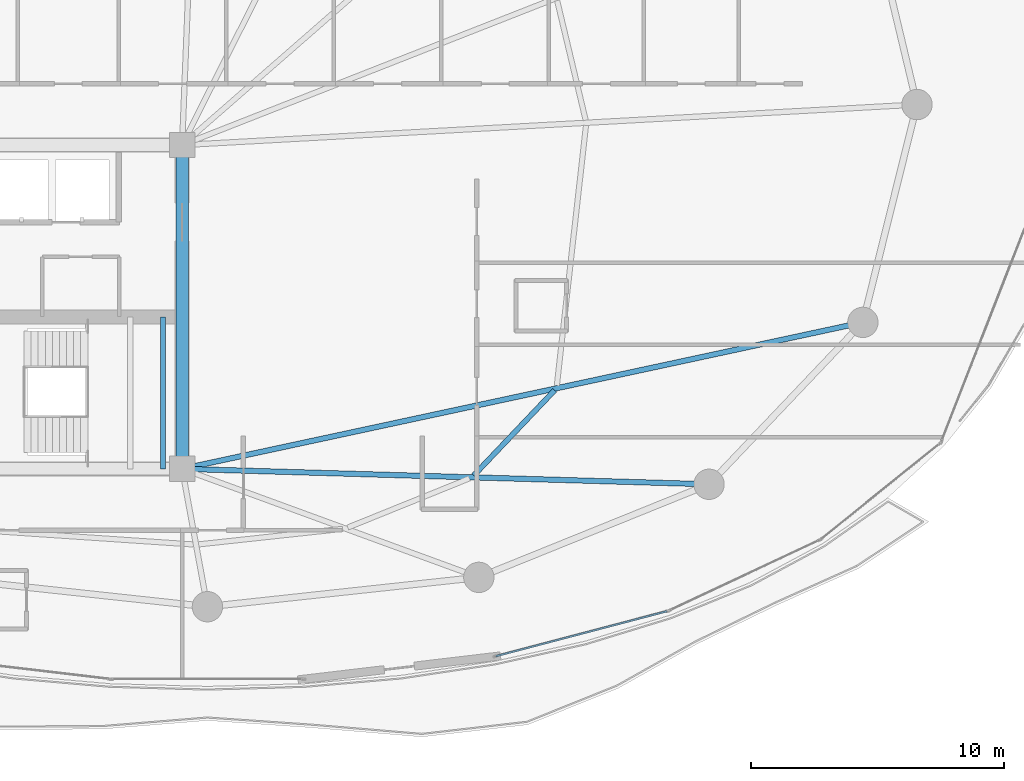
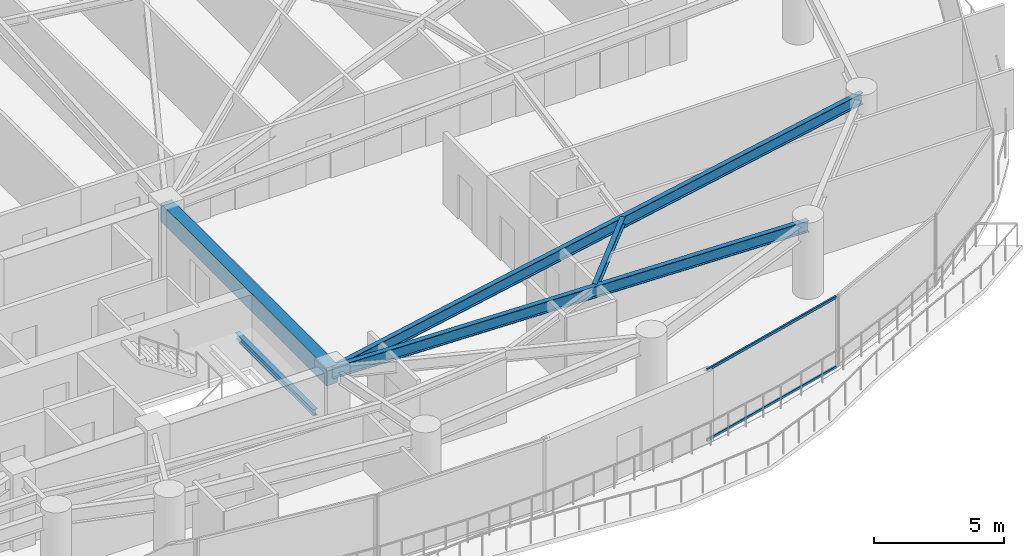
# One storey, part 13 of 34: 5 beams, 2 members, 1 element without a shape of its own.
"""IFC4 building model written with IfcOpenShell, lengths in metres."""

from ifc_helpers import new_model, si_unit, direction, frame, origin, origin_2d, place, context, subcontext, project, spatial, rectangle, hollow_rectangle, i_section, extrude, material, layer, layer_set, material_profile, profile_set, type_object, element, aggregate, save


model = new_model("IFC4")

# Units and contexts
model_context = context("Model", 3, precision=1e-05, world=origin(), true_north=direction((0.0, 1.0)))
body_context = subcontext(model_context, "Body", "Model", "MODEL_VIEW")
ifc_project = project(units=[si_unit("LENGTHUNIT", "METRE"), si_unit("AREAUNIT", "SQUARE_METRE"), si_unit("VOLUMEUNIT", "CUBIC_METRE"), si_unit("PLANEANGLEUNIT", "RADIAN"), si_unit("MASSUNIT", "GRAM", prefix="KILO")], contexts=[model_context])

# Site, building, storey
site_placement = place(None, origin())
site = spatial("IfcSite", under=ifc_project, at=site_placement, CompositionType="ELEMENT")
building_placement = place(site_placement, origin())
building = spatial("IfcBuilding", under=site, at=building_placement, Name="Kazevale Care Tower and Concert Hall", CompositionType="ELEMENT")
storey_placement = place(building_placement, frame((0.0, 0.0, 167.39990234375)))
storey = spatial("IfcBuildingStorey", under=building, at=storey_placement, Name="L44", CompositionType="ELEMENT", Elevation=167.39990234375)

# Curtain wall, members
ifc_material_1 = material(Name="Aluminium 6063-T6 and Low-E Glass", Category="aluminium")
ifc_layer = layer(ifc_material_1, 0.179931640625)
ifc_layer_set = layer_set([ifc_layer], Name="Aluminium 6063-T6 and Low-E Glass")
curtain_wall_type = type_object("IfcCurtainWallType", Name="Sheltered Concave Balcony Curtain Wall CW-5", PredefinedType="NOTDEFINED", material=ifc_layer_set)
curtain_wall_placement = place(storey_placement, origin())
curtain_wall = element("IfcCurtainWall", 1, at=curtain_wall_placement, inside=storey, type_object=curtain_wall_type, Name="cw:L44:f04", PredefinedType="NOTDEFINED")
ifc_material_2 = material(Name="Aluminium 6063-T6", Category="aluminium")
ifc_material_profile_1 = material_profile(ifc_material_2, hollow_rectangle(XDim=0.074951171875, YDim=0.1201171875, WallThickness=0.00390625, at=origin_2d()), Name="ALU75x120x4")
ifc_profile_set_1 = profile_set([ifc_material_profile_1], Name="Aluminium 6063-T6")
member_type = type_object("IfcMemberType", Name="CW-5 Transom ALU75x120x4", PredefinedType="USERDEFINED", material=ifc_profile_set_1)
member_1_placement = place(storey_placement, frame((63.16845703125, 17.971923828125, 0.03759765625), z_axis=(-0.967142752699, -0.254233939321, 0.0), x_axis=(0.254233939321, -0.967142752699, 0.0)))
member_1 = element("IfcMember", 2, at=member_1_placement, type_object=member_type, Name="CW-5 transom 1.1", ObjectType="TRANSOM", PredefinedType="USERDEFINED", context=body_context, shape_type="SweptSolid", body=[
    extrude(hollow_rectangle(XDim=0.074951171875, YDim=0.1201171875, WallThickness=0.00390625, at=origin_2d()), origin(), (0.0, 0.0, 1.0), 6.996826171875),
])
member_2_placement = place(storey_placement, frame((63.16845703125, 17.971923828125, 3.322509765625), z_axis=(-0.967142752699, -0.254233939321, 0.0), x_axis=(0.254233939321, -0.967142752699, 0.0)))
member_2 = element("IfcMember", 3, at=member_2_placement, type_object=member_type, Name="CW-5 transom 1.2", ObjectType="TRANSOM", PredefinedType="USERDEFINED", context=body_context, shape_type="SweptSolid", body=[
    extrude(hollow_rectangle(XDim=0.074951171875, YDim=0.1201171875, WallThickness=0.00390625, at=origin_2d()), origin(), (0.0, 0.0, 1.0), 6.996826171875),
])
aggregate(curtain_wall, [member_1, member_2])

# Beams
ifc_material_3 = material(Name="Concrete C60", Category="concrete")
ifc_material_profile_2 = material_profile(ifc_material_3, rectangle(XDim=0.5, YDim=0.85009765625, at=origin_2d()), Name="RC-B500x850")
ifc_profile_set_2 = profile_set([ifc_material_profile_2], Name="Concrete C60")
beam_type_1 = type_object("IfcBeamType", Name="Core Coupling Beam RC500x850", PredefinedType="LINTEL", material=ifc_profile_set_2)
beam_1_placement = place(storey_placement, frame((44.0, 23.60009765625, 2.93505859375), z_axis=(0.0, 1.0, 0.0), x_axis=(-1.0, 0.0, 0.0)))
element("IfcBeam", 4, at=beam_1_placement, inside=storey, type_object=beam_type_1, Name="beam:L44:coretie:4", PredefinedType="LINTEL", context=body_context, shape_type="SweptSolid", body=[
    extrude(rectangle(XDim=0.5, YDim=0.85009765625, at=origin_2d()), origin(), (0.0, 0.0, 1.0), 12.7998046875),
])
ifc_material_4 = material(Name="Steel ASTM A572 Gr 50", Category="steel")
ifc_material_profile_3 = material_profile(ifc_material_4, i_section(OverallWidth=0.2119140625, OverallDepth=0.5439453125, WebThickness=0.01318359375, FlangeThickness=0.021240234375, at=origin_2d()), Name="W530x123")
ifc_profile_set_3 = profile_set([ifc_material_profile_3], Name="Steel ASTM A572 Gr 50")
beam_type_2 = type_object("IfcBeamType", Name="Radial Floor Girder W530x123", PredefinedType="BEAM", material=ifc_profile_set_3)
beam_2_placement = place(storey_placement, frame((44.0, 23.60009765625, 3.088134765625), z_axis=(0.99957133157, -0.029277177187, 0.0), x_axis=(0.029277177187, 0.99957133157, 0.0)))
element("IfcBeam", 5, at=beam_2_placement, inside=storey, type_object=beam_type_2, Name="beam:L44:rad:15", PredefinedType="BEAM", context=body_context, shape_type="SweptSolid", body=[
    extrude(i_section(OverallWidth=0.2119140625, OverallDepth=0.5439453125, WebThickness=0.01318359375, FlangeThickness=0.021240234375, at=origin_2d()), origin(), (0.0, 0.0, 1.0), 20.839111328125),
])
beam_3_placement = place(storey_placement, frame((44.0, 23.60009765625, 3.088134765625), z_axis=(0.97762801725, 0.210341293823, 0.0), x_axis=(-0.210341293823, 0.97762801725, 0.0)))
element("IfcBeam", 6, at=beam_3_placement, inside=storey, type_object=beam_type_2, Name="beam:L44:rad:16", PredefinedType="BEAM", context=body_context, shape_type="SweptSolid", body=[
    extrude(i_section(OverallWidth=0.2119140625, OverallDepth=0.5439453125, WebThickness=0.01318359375, FlangeThickness=0.021240234375, at=origin_2d()), origin(), (0.0, 0.0, 1.0), 27.525634765625),
])
ifc_material_profile_4 = material_profile(ifc_material_4, i_section(OverallWidth=0.205078125, OverallDepth=0.35400390625, WebThickness=0.009521484375, FlangeThickness=0.016845703125, at=origin_2d()), Name="W360x79")
ifc_profile_set_4 = profile_set([ifc_material_profile_4], Name="Steel ASTM A572 Gr 50")
beam_type_3 = type_object("IfcBeamType", Name="Secondary Floor Joist W360x79", PredefinedType="JOIST", material=ifc_profile_set_4)
beam_4_placement = place(storey_placement, frame((55.529052734375, 23.341064453125, 3.18310546875), z_axis=(0.688792288395, 0.724958746032, 0.0), x_axis=(-0.724958746032, 0.688792288395, 0.0)))
element("IfcBeam", 7, at=beam_4_placement, inside=storey, type_object=beam_type_3, Name="beam:L44:joist:15", PredefinedType="JOIST", context=body_context, shape_type="SweptSolid", body=[
    extrude(i_section(OverallWidth=0.205078125, OverallDepth=0.35400390625, WebThickness=0.009521484375, FlangeThickness=0.016845703125, at=origin_2d()), origin(), (0.0, 0.0, 1.0), 4.644287109375),
])
ifc_material_profile_5 = material_profile(ifc_material_4, i_section(OverallWidth=0.202880859375, OverallDepth=0.302978515625, WebThickness=0.007568359375, FlangeThickness=0.01318359375, at=origin_2d()), Name="W310x60")
ifc_profile_set_5 = profile_set([ifc_material_profile_5], Name="Steel ASTM A572 Gr 50")
beam_type_4 = type_object("IfcBeamType", Name="Stair & Balcony Trimmer W310x60", PredefinedType="BEAM", material=ifc_profile_set_5)
beam_5_placement = place(storey_placement, frame((43.25, 23.60009765625, 1.448486328125), z_axis=(0.0, 1.0, 0.0), x_axis=(-1.0, 0.0, 0.0)))
element("IfcBeam", 8, at=beam_5_placement, inside=storey, type_object=beam_type_4, Name="beam:L44:sttrim:ST2b", PredefinedType="BEAM", context=body_context, shape_type="SweptSolid", body=[
    extrude(i_section(OverallWidth=0.202880859375, OverallDepth=0.302978515625, WebThickness=0.007568359375, FlangeThickness=0.01318359375, at=origin_2d()), origin(), (0.0, 0.0, 1.0), 6.0),
])

save(model, "model.ifc")
